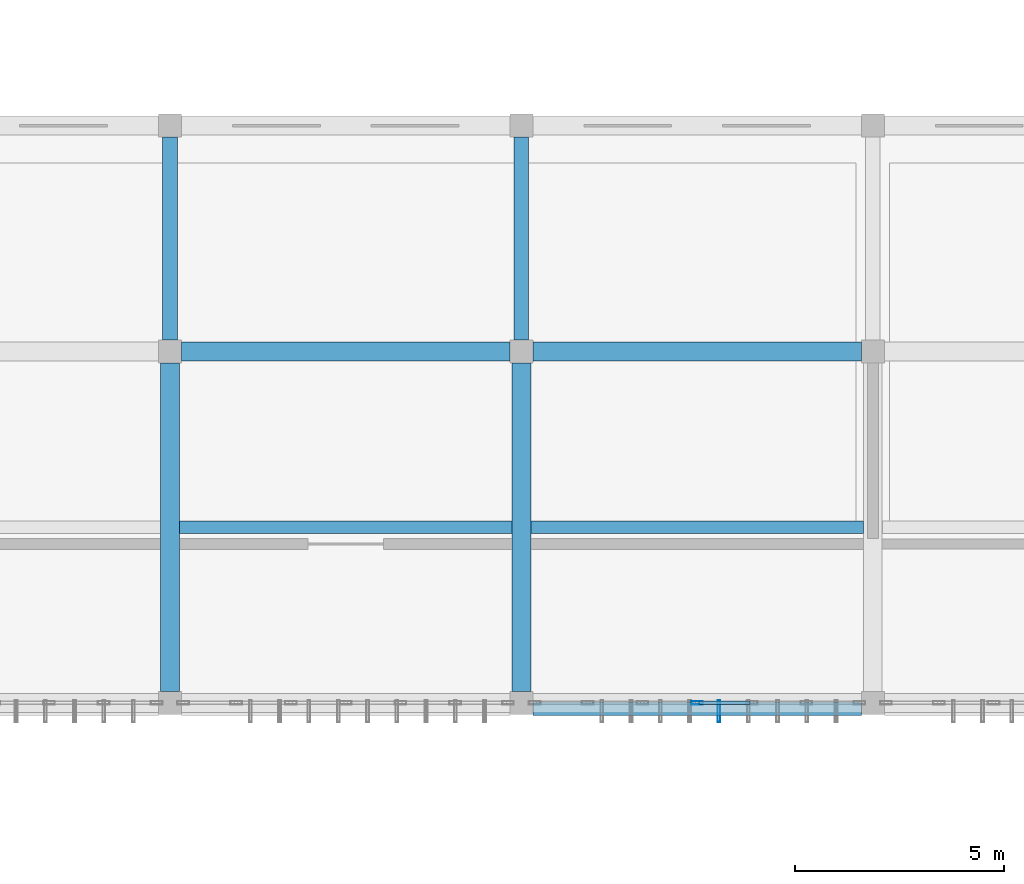
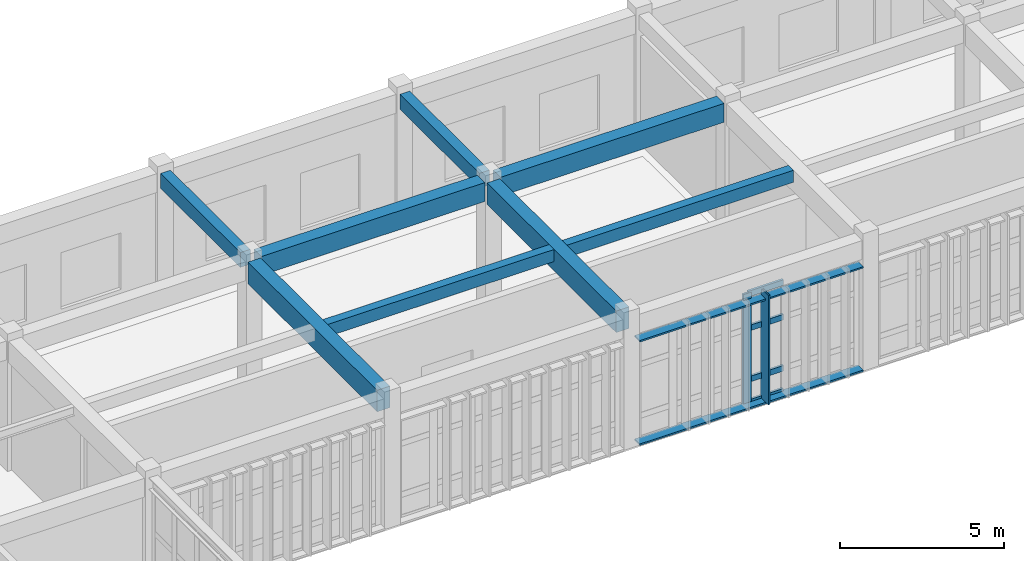
# One storey, part 41 of 106: 8 beams, 8 members, 1 element without a shape of its own.
"""IFC4 building model written with IfcOpenShell, lengths in metres."""

from ifc_helpers import new_model, si_unit, direction, frame, origin, origin_2d, place, context, subcontext, project, spatial, rectangle, hollow_rectangle, extrude, material, layer, layer_set, material_profile, profile_set, type_object, element, aggregate, save


model = new_model("IFC4")

# Units and contexts
model_context = context("Model", 3, precision=1e-05, world=origin(), true_north=direction((0.0, 1.0)))
body_context = subcontext(model_context, "Body", "Model", "MODEL_VIEW")
ifc_project = project(units=[si_unit("LENGTHUNIT", "METRE"), si_unit("AREAUNIT", "SQUARE_METRE"), si_unit("VOLUMEUNIT", "CUBIC_METRE"), si_unit("PLANEANGLEUNIT", "RADIAN"), si_unit("MASSUNIT", "GRAM", prefix="KILO")], contexts=[model_context])

# Site, building, storey
site_placement = place(None, origin())
site = spatial("IfcSite", under=ifc_project, at=site_placement, CompositionType="ELEMENT")
building_placement = place(site_placement, origin())
building = spatial("IfcBuilding", under=site, at=building_placement, Name="Krzemoval Escarpment Law Courts", CompositionType="ELEMENT")
storey_placement = place(building_placement, frame((0.0, 0.0, 5.10009765625)))
storey = spatial("IfcBuildingStorey", under=building, at=storey_placement, Name="L01", CompositionType="ELEMENT", Elevation=5.10009765625)

# Beams
ifc_material_1 = material(Name="Concrete C40/50", Category="concrete")
ifc_material_profile_1 = material_profile(ifc_material_1, rectangle(XDim=0.35009765625, YDim=0.550048828125, at=origin_2d()), Name="RCB 350x550")
ifc_profile_set_1 = profile_set([ifc_material_profile_1], Name="Concrete C40/50")
beam_type_1 = type_object("IfcBeamType", Name="BM-RC-350x550", PredefinedType="BEAM", material=ifc_profile_set_1)
for number, where, z_axis, x_axis, name in (
    (1, (50.39990234375, 108.27490234375, 4.544921875), (0.0, 1.0, 0.0), (-1.0, 0.0, 0.0), "Beam FG-L01-1457"),
    (2, (58.800048828125, 108.27490234375, 4.544921875), (0.0, 1.0, 0.0), (-1.0, 0.0, 0.0), "Beam FG-L01-1463"),
):
    element("IfcBeam", number, at=place(storey_placement, frame(where, z_axis=z_axis, x_axis=x_axis)), inside=storey, type_object=beam_type_1, Name=name, PredefinedType="BEAM", context=body_context, shape_type="SweptSolid", body=[
        extrude(rectangle(XDim=0.35009765625, YDim=0.550048828125, at=origin_2d()), origin(), (0.0, 0.0, 1.0), 4.85009765625),
    ])
ifc_material_2 = material(Name="Concrete C40/50", Category="concrete")
ifc_material_profile_2 = material_profile(ifc_material_2, rectangle(XDim=0.449951171875, YDim=0.699951171875, at=origin_2d()), Name="RCB 450x700")
ifc_profile_set_2 = profile_set([ifc_material_profile_2], Name="Concrete C40/50")
beam_type_2 = type_object("IfcBeamType", Name="BM-RC-450x700", PredefinedType="BEAM", material=ifc_profile_set_2)
beam_1_placement = place(storey_placement, frame((50.675048828125, 108.0, 4.469970703125), z_axis=(1.0, 0.0, 0.0), x_axis=(0.0, 1.0, 0.0)))
element("IfcBeam", 3, at=beam_1_placement, inside=storey, type_object=beam_type_2, Name="Beam FG-L01-1324", PredefinedType="BEAM", context=body_context, shape_type="SweptSolid", body=[
    extrude(rectangle(XDim=0.449951171875, YDim=0.699951171875, at=origin_2d()), origin(), (0.0, 0.0, 1.0), 7.849853515625),
])
beam_2_placement = place(storey_placement, frame((59.074951171875, 108.0, 4.469970703125), z_axis=(1.0, 0.0, 0.0), x_axis=(0.0, 1.0, 0.0)))
element("IfcBeam", 4, at=beam_2_placement, inside=storey, type_object=beam_type_2, Name="Beam FG-L01-1325", PredefinedType="BEAM", context=body_context, shape_type="SweptSolid", body=[
    extrude(rectangle(XDim=0.449951171875, YDim=0.699951171875, at=origin_2d()), origin(), (0.0, 0.0, 1.0), 7.85009765625),
])
ifc_material_3 = material(Name="Concrete C40/50", Category="concrete")
ifc_material_profile_3 = material_profile(ifc_material_3, rectangle(XDim=0.449951171875, YDim=0.800048828125, at=origin_2d()), Name="RCB 450x800")
ifc_profile_set_3 = profile_set([ifc_material_profile_3], Name="Concrete C40/50")
beam_type_3 = type_object("IfcBeamType", Name="BM-RC-450x800", PredefinedType="BEAM", material=ifc_profile_set_3)
for number, where, z_axis, x_axis, name in (
    (5, (50.39990234375, 99.875, 4.419921875), (0.0, 1.0, 0.0), (-1.0, 0.0, 0.0), "Beam FG-L01-1456"),
    (6, (58.800048828125, 99.875, 4.419921875), (0.0, 1.0, 0.0), (-1.0, 0.0, 0.0), "Beam FG-L01-1462"),
):
    element("IfcBeam", number, at=place(storey_placement, frame(where, z_axis=z_axis, x_axis=x_axis)), inside=storey, type_object=beam_type_3, Name=name, PredefinedType="BEAM", context=body_context, shape_type="SweptSolid", body=[
        extrude(rectangle(XDim=0.449951171875, YDim=0.800048828125, at=origin_2d()), origin(), (0.0, 0.0, 1.0), 7.85009765625),
    ])

# Curtain wall, members
ifc_material_4 = material(Name="Aluminium 6063-T6", Category="aluminium")
ifc_layer = layer(ifc_material_4, 0.280029296875)
ifc_layer_set = layer_set([ifc_layer], Name="Aluminium 6063-T6")
curtain_wall_type = type_object("IfcCurtainWallType", Name="CW-HALL-5100", PredefinedType="USERDEFINED", material=ifc_layer_set)
curtain_wall_placement = place(storey_placement, origin())
curtain_wall = element("IfcCurtainWall", 7, at=curtain_wall_placement, inside=storey, type_object=curtain_wall_type, Name="Unitised Curtain Wall FCW-L01-053", ObjectType="UNITISED_CURTAIN_WALL", PredefinedType="USERDEFINED")
ifc_material_5 = material(Name="Aluminium 6063-T6", Category="aluminium")
ifc_material_profile_4 = material_profile(ifc_material_5, hollow_rectangle(XDim=0.0849609375, YDim=0.280029296875, WallThickness=0.005615234375, at=origin_2d()), Name="ALU M85x280")
ifc_profile_set_4 = profile_set([ifc_material_profile_4], Name="Aluminium 6063-T6")
member_type_1 = type_object("IfcMemberType", Name="CWM-85x280", PredefinedType="MULLION", material=ifc_profile_set_4)
member_1_placement = place(storey_placement, frame((63.0, 99.60009765625, 0.0), z_axis=(0.0, 0.0, 1.0), x_axis=(0.0, -1.0, 0.0)))
member_1 = element("IfcMember", 8, at=member_1_placement, type_object=member_type_1, Name="FCW-L01-053 mullion 4", PredefinedType="MULLION", context=body_context, shape_type="SweptSolid", body=[
    extrude(hollow_rectangle(XDim=0.0849609375, YDim=0.280029296875, WallThickness=0.005615234375, at=origin_2d()), origin(), (0.0, 0.0, 1.0), 4.119873046875),
])
ifc_material_6 = material(Name="Aluminium 6063-T6", Category="aluminium")
ifc_material_profile_5 = material_profile(ifc_material_6, hollow_rectangle(XDim=0.0849609375, YDim=0.2099609375, WallThickness=0.005615234375, at=origin_2d()), Name="ALU T85x210")
ifc_profile_set_5 = profile_set([ifc_material_profile_5], Name="Aluminium 6063-T6")
member_type_2 = type_object("IfcMemberType", Name="CWT-85x210", PredefinedType="USERDEFINED", material=ifc_profile_set_5)
member_2_placement = place(storey_placement, frame((64.265869140625, 99.60009765625, 0.04248046875), z_axis=(-1.0, 0.0, 0.0), x_axis=(0.0, -1.0, 0.0)))
member_2 = element("IfcMember", 9, at=member_2_placement, type_object=member_type_2, Name="FCW-L01-053 transom 3.1", ObjectType="TRANSOM", PredefinedType="USERDEFINED", context=body_context, shape_type="SweptSolid", body=[
    extrude(hollow_rectangle(XDim=0.0849609375, YDim=0.2099609375, WallThickness=0.005615234375, at=origin_2d()), origin(), (0.0, 0.0, 1.0), 1.223388671875),
])
member_3_placement = place(storey_placement, frame((64.265869140625, 99.60009765625, 0.89990234375), z_axis=(-1.0, 0.0, 0.0), x_axis=(0.0, -1.0, 0.0)))
member_3 = element("IfcMember", 10, at=member_3_placement, type_object=member_type_2, Name="FCW-L01-053 transom 3.2", ObjectType="TRANSOM", PredefinedType="USERDEFINED", context=body_context, shape_type="SweptSolid", body=[
    extrude(hollow_rectangle(XDim=0.0849609375, YDim=0.2099609375, WallThickness=0.005615234375, at=origin_2d()), origin(), (0.0, 0.0, 1.0), 1.223388671875),
])
member_4_placement = place(storey_placement, frame((64.265869140625, 99.60009765625, 2.7998046875), z_axis=(-1.0, 0.0, 0.0), x_axis=(0.0, -1.0, 0.0)))
member_4 = element("IfcMember", 11, at=member_4_placement, type_object=member_type_2, Name="FCW-L01-053 transom 3.3", ObjectType="TRANSOM", PredefinedType="USERDEFINED", context=body_context, shape_type="SweptSolid", body=[
    extrude(hollow_rectangle(XDim=0.0849609375, YDim=0.2099609375, WallThickness=0.005615234375, at=origin_2d()), origin(), (0.0, 0.0, 1.0), 1.223388671875),
])
member_5_placement = place(storey_placement, frame((64.265869140625, 99.60009765625, 4.077392578125), z_axis=(-1.0, 0.0, 0.0), x_axis=(0.0, -1.0, 0.0)))
member_5 = element("IfcMember", 12, at=member_5_placement, type_object=member_type_2, Name="FCW-L01-053 transom 3.4", ObjectType="TRANSOM", PredefinedType="USERDEFINED", context=body_context, shape_type="SweptSolid", body=[
    extrude(hollow_rectangle(XDim=0.0849609375, YDim=0.2099609375, WallThickness=0.005615234375, at=origin_2d()), origin(), (0.0, 0.0, 1.0), 1.223388671875),
])
aggregate(curtain_wall, [member_1, member_2, member_3, member_4, member_5])

# Beams
ifc_material_7 = material(Name="Concrete C40/50", Category="concrete")
ifc_material_profile_6 = material_profile(ifc_material_7, rectangle(XDim=0.300048828125, YDim=0.449951171875, at=origin_2d()), Name="RCB 300x450")
ifc_profile_set_6 = profile_set([ifc_material_profile_6], Name="Concrete C40/50")
beam_type_4 = type_object("IfcBeamType", Name="JST-RC-300x450", PredefinedType="JOIST", material=ifc_profile_set_6)
beam_3_placement = place(storey_placement, frame((50.625, 103.800048828125, 4.594970703125), z_axis=(1.0, 0.0, 0.0), x_axis=(0.0, 1.0, 0.0)))
element("IfcBeam", 13, at=beam_3_placement, inside=storey, type_object=beam_type_4, Name="Secondary Joist FJ-L01-1640", PredefinedType="JOIST", context=body_context, shape_type="SweptSolid", body=[
    extrude(rectangle(XDim=0.300048828125, YDim=0.449951171875, at=origin_2d()), origin(), (0.0, 0.0, 1.0), 7.949951171875),
])
beam_4_placement = place(storey_placement, frame((59.02490234375, 103.800048828125, 4.594970703125), z_axis=(1.0, 0.0, 0.0), x_axis=(0.0, 1.0, 0.0)))
element("IfcBeam", 14, at=beam_4_placement, inside=storey, type_object=beam_type_4, Name="Secondary Joist FJ-L01-1645", PredefinedType="JOIST", context=body_context, shape_type="SweptSolid", body=[
    extrude(rectangle(XDim=0.300048828125, YDim=0.449951171875, at=origin_2d()), origin(), (0.0, 0.0, 1.0), 7.9501953125),
])

# Members
ifc_material_8 = material(Name="Anodised Aluminium Alloy 6063-T6", Category="aluminium")
ifc_material_profile_7 = material_profile(ifc_material_8, hollow_rectangle(XDim=0.06005859375, YDim=0.320068359375, WallThickness=0.00390625, at=origin_2d()), Name="ALU LVR 60x320")
ifc_profile_set_7 = profile_set([ifc_material_profile_7], Name="Anodised Aluminium Alloy 6063-T6")
member_type_3 = type_object("IfcMemberType", Name="LVR-ALU-320", PredefinedType="USERDEFINED", material=ifc_profile_set_7)
for number, where, z_axis, x_axis, name in (
    (15, (66.925048828125, 99.4599609375, 0.02978515625), (-1.0, 0.0, 0.0), (0.0, 0.0, 1.0), "Sunshade Support Rail FSR-L01-0257"),
    (16, (66.925048828125, 99.4599609375, 3.869873046875), (-1.0, 0.0, 0.0), (0.0, 0.0, 1.0), "Sunshade Support Rail FSR-L01-0258"),
):
    element("IfcMember", number, at=place(storey_placement, frame(where, z_axis=z_axis, x_axis=x_axis)), inside=storey, type_object=member_type_3, Name=name, ObjectType="SUNSHADE_LOUVRE", PredefinedType="USERDEFINED", context=body_context, shape_type="SweptSolid", body=[
        extrude(hollow_rectangle(XDim=0.06005859375, YDim=0.320068359375, WallThickness=0.00390625, at=origin_2d()), origin(), (0.0, 0.0, 1.0), 7.85009765625),
    ])
ifc_material_9 = material(Name="Anodised Aluminium Alloy 6063-T6", Category="aluminium")
ifc_material_profile_8 = material_profile(ifc_material_9, hollow_rectangle(XDim=0.06494140625, YDim=0.52001953125, WallThickness=0.00439453125, at=origin_2d()), Name="ALU LVR 65x520")
ifc_profile_set_8 = profile_set([ifc_material_profile_8], Name="Anodised Aluminium Alloy 6063-T6")
member_type_4 = type_object("IfcMemberType", Name="LVR-ALU-520", PredefinedType="USERDEFINED", material=ifc_profile_set_8)
member_6_placement = place(storey_placement, frame((63.52490234375, 99.39990234375, 0.059814453125), z_axis=(0.0, 0.0, 1.0), x_axis=(1.0, 0.0, 0.0)))
element("IfcMember", 17, at=member_6_placement, inside=storey, type_object=member_type_4, Name="Sunshade Louvre Fin FLV-L01-0263", ObjectType="SUNSHADE_LOUVRE", PredefinedType="USERDEFINED", context=body_context, shape_type="SweptSolid", body=[
    extrude(hollow_rectangle(XDim=0.06494140625, YDim=0.52001953125, WallThickness=0.00439453125, at=origin_2d()), origin(), (0.0, 0.0, 1.0), 4.06005859375),
])

save(model, "model.ifc")
